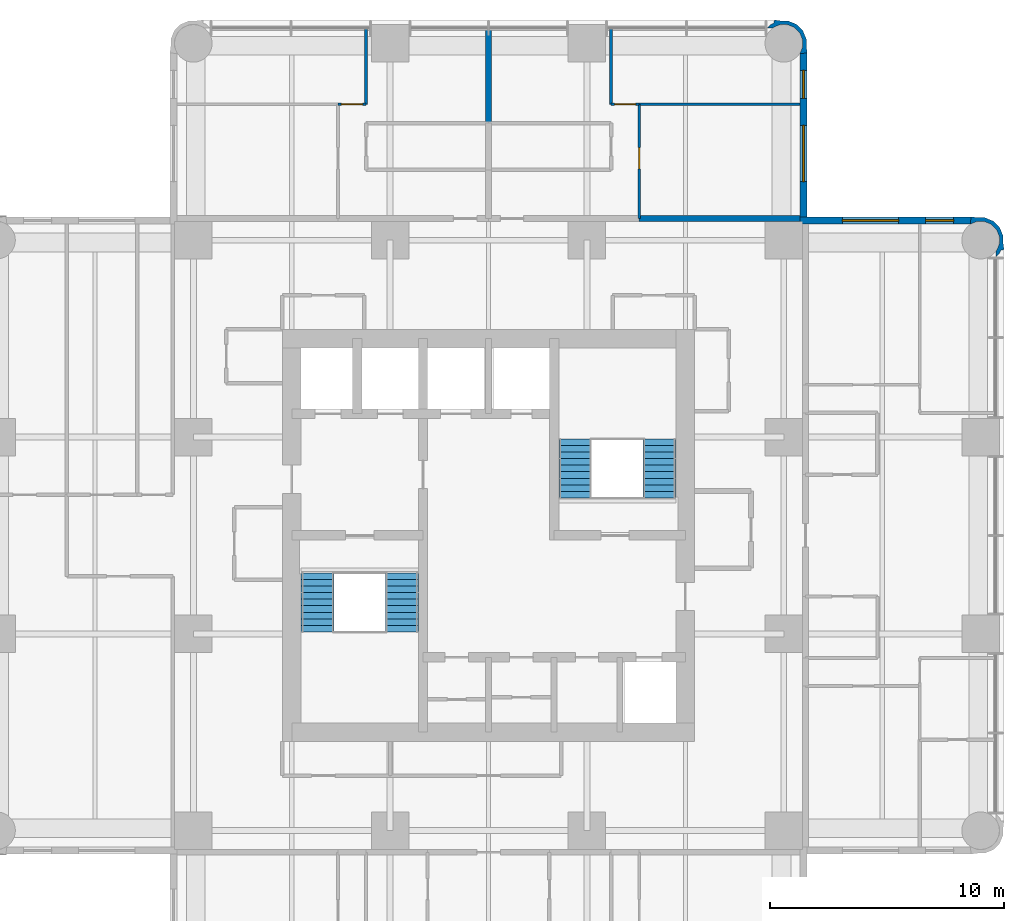
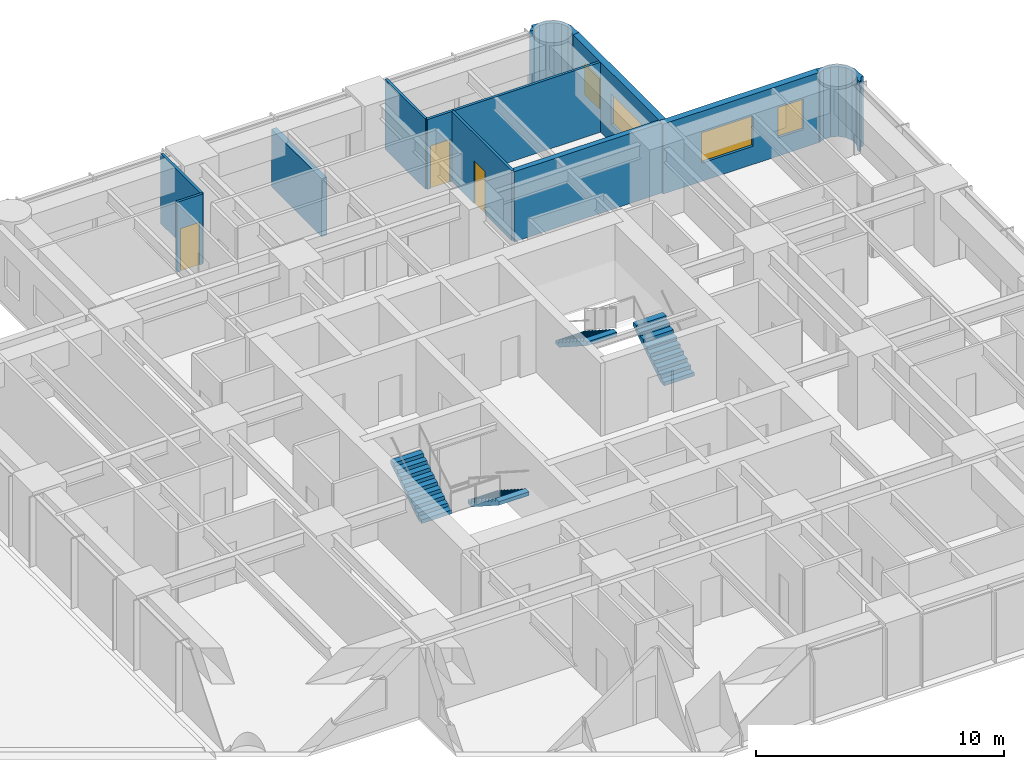
# One storey, part 8 of 9: 12 walls, 4 stair flights, 4 windows, 3 doors, 7 openings, 2 elements without a shape of their own.
"""IFC4 building model written with IfcOpenShell, lengths in metres."""

from ifc_helpers import new_model, si_unit, direction, frame, frame_2d, origin, place, context, subcontext, project, spatial, polyline, rectangle, outline, extrude, material, layer, layer_set, type_object, element, fill, aggregate, save


model = new_model("IFC4")

# Units and contexts
model_context = context("Model", 3, precision=1e-05, world=origin(), true_north=direction((0.0, 1.0)))
body_context = subcontext(model_context, "Body", "Model", "MODEL_VIEW")
ifc_project = project(units=[si_unit("LENGTHUNIT", "METRE"), si_unit("AREAUNIT", "SQUARE_METRE"), si_unit("VOLUMEUNIT", "CUBIC_METRE"), si_unit("PLANEANGLEUNIT", "RADIAN"), si_unit("MASSUNIT", "GRAM", prefix="KILO")], contexts=[model_context])

# Site, building, storey
site_placement = place(None, origin())
site = spatial("IfcSite", under=ifc_project, at=site_placement, CompositionType="ELEMENT")
building_placement = place(site_placement, origin())
building = spatial("IfcBuilding", under=site, at=building_placement, Name="Torre Alcanfor", CompositionType="ELEMENT")
storey_placement = place(building_placement, frame((0.0, 0.0, 254.10009765625)))
storey = spatial("IfcBuildingStorey", under=building, at=storey_placement, Name="L66", CompositionType="ELEMENT", Elevation=254.10009765625)

# Wall
ifc_material_1 = material(Name="Concrete block masonry, hollow blocks NMX-C-404 9 MPa", Category="masonry")
ifc_layer_1 = layer(ifc_material_1, 0.25)
ifc_layer_set_1 = layer_set([ifc_layer_1], Name="Apartment entrance wall 250 EI 60")
wall_type_1 = type_object("IfcWallType", Name="Apartment entrance wall 250 EI 60", PredefinedType="PARTITIONING", material=ifc_layer_set_1)
wall_1_placement = place(storey_placement, frame((35.8291015625, 42.925048828125, 0.0), z_axis=(0.0, 0.0, 1.0), x_axis=(1.0, 0.0, 0.0)))
element("IfcWall", 1, at=wall_1_placement, inside=storey, type_object=wall_type_1, Name="Partition L66-CORR / L66-N2-BED2", PredefinedType="PARTITIONING", context=body_context, shape_type="SweptSolid", body=[
    extrude(rectangle(XDim=6.870849609375, YDim=0.25, at=frame_2d((3.435546875, 0.0))), origin(), (0.0, 0.0, 1.0), 3.449951171875),
])

# Wall, opening, door
ifc_material_2 = material(Name="Gypsum board on steel studs", Category="steel")
ifc_layer_2 = layer(ifc_material_2, 0.1201171875)
ifc_layer_set_2 = layer_set([ifc_layer_2], Name="Apartment partition 120")
wall_type_2 = type_object("IfcWallType", Name="Apartment partition 120", PredefinedType="PARTITIONING", material=ifc_layer_set_2)
wall_2_placement = place(storey_placement, frame((22.970947265625, 47.800048828125, 0.0), z_axis=(0.0, 0.0, 1.0), x_axis=(1.0, 0.0, 0.0)))
wall_2 = element("IfcWall", 2, at=wall_2_placement, inside=storey, type_object=wall_type_2, Name="Partition L66-N1-LIVING / L66-N1-MASTER", PredefinedType="PARTITIONING", context=body_context, shape_type="SweptSolid", body=[
    extrude(rectangle(XDim=1.199951171875, YDim=0.1201171875, at=frame_2d((0.60009765625, 0.0))), origin(), (0.0, 0.0, 1.0), 3.449951171875),
])
opening_1_placement = place(wall_2_placement, frame((0.14892578125, 0.0, 0.0)))
opening_1 = element("IfcOpeningElement", 3, at=opening_1_placement, cuts=wall_2, Name="Opening D-R1", PredefinedType="OPENING", context=body_context, shape_type="SweptSolid", body=[
    extrude(rectangle(XDim=0.89990234375, YDim=2.10009765625, at=frame_2d((0.449951171875, 1.050048828125))), frame((0.0, 0.070068359375, 0.0), z_axis=(0.0, -1.0, 0.0), x_axis=(1.0, 0.0, 0.0)), (0.0, 0.0, 1.0), 0.14013671875),
])
ifc_material_3 = material(Name="Timber", Category="wood")
door_type = type_object("IfcDoorType", Name="Internal door 900x2100", OperationType="SINGLE_SWING_LEFT", PredefinedType="DOOR", material=ifc_material_3)
door_1_placement = place(opening_1_placement, origin())
door_1 = element("IfcDoor", 4, at=door_1_placement, inside=storey, type_object=door_type, Name="Door L66-N1 master", OperationType="SINGLE_SWING_RIGHT", OverallHeight=2.10009765625, OverallWidth=0.89990234375, PredefinedType="DOOR", context=body_context, shape_type="SweptSolid", body=[
    extrude(rectangle(XDim=0.89990234375, YDim=2.10009765625, at=frame_2d((0.449951171875, 1.050048828125))), frame((0.0, 0.02490234375, 0.0), z_axis=(0.0, -1.0, 0.0), x_axis=(1.0, 0.0, 0.0)), (0.0, 0.0, 1.0), 0.050048828125),
])
fill(opening_1, door_1)

# Wall
wall_3_placement = place(storey_placement, frame((24.1708984375, 47.800048828125, 0.0), z_axis=(0.0, 0.0, 1.0), x_axis=(0.0, 1.0, 0.0)))
element("IfcWall", 5, at=wall_3_placement, inside=storey, type_object=wall_type_2, Name="Partition L66-N1-LIVING / L66-N1-MASTER", PredefinedType="PARTITIONING", context=body_context, shape_type="SweptSolid", body=[
    extrude(rectangle(XDim=3.25, YDim=0.1201171875, at=frame_2d((1.625, 0.0))), origin(), (0.0, 0.0, 1.0), 3.449951171875),
])

# Wall, opening, door
wall_4_placement = place(storey_placement, frame((35.8291015625, 47.800048828125, 0.0), z_axis=(0.0, 0.0, 1.0), x_axis=(0.0, -1.0, 0.0)))
wall_4 = element("IfcWall", 6, at=wall_4_placement, inside=storey, type_object=wall_type_2, Name="Partition L66-N2-LIVING / L66-N2-BED2", PredefinedType="PARTITIONING", context=body_context, shape_type="SweptSolid", body=[
    extrude(rectangle(XDim=4.875, YDim=0.1201171875, at=frame_2d((2.4375, 0.0))), origin(), (0.0, 0.0, 1.0), 3.449951171875),
])
opening_2_placement = place(wall_4_placement, frame((1.85009765625, 0.0, 0.0)))
opening_2 = element("IfcOpeningElement", 7, at=opening_2_placement, cuts=wall_4, Name="Opening D-R1", PredefinedType="OPENING", context=body_context, shape_type="SweptSolid", body=[
    extrude(rectangle(XDim=0.89990234375, YDim=2.10009765625, at=frame_2d((0.449951171875, 1.050048828125))), frame((0.0, 0.070068359375, 0.0), z_axis=(0.0, -1.0, 0.0), x_axis=(1.0, 0.0, 0.0)), (0.0, 0.0, 1.0), 0.14013671875),
])
door_2_placement = place(opening_2_placement, origin())
door_2 = element("IfcDoor", 8, at=door_2_placement, inside=storey, type_object=door_type, Name="Door L66-N2 bed2", OperationType="SINGLE_SWING_LEFT", OverallHeight=2.10009765625, OverallWidth=0.89990234375, PredefinedType="DOOR", context=body_context, shape_type="SweptSolid", body=[
    extrude(rectangle(XDim=0.89990234375, YDim=2.10009765625, at=frame_2d((0.449951171875, 1.050048828125))), frame((0.0, 0.02490234375, 0.0), z_axis=(0.0, -1.0, 0.0), x_axis=(1.0, 0.0, 0.0)), (0.0, 0.0, 1.0), 0.050048828125),
])
fill(opening_2, door_2)

# Wall
wall_5_placement = place(storey_placement, frame((34.62890625, 51.050048828125, 0.0), z_axis=(0.0, 0.0, 1.0), x_axis=(0.0, -1.0, 0.0)))
element("IfcWall", 9, at=wall_5_placement, inside=storey, type_object=wall_type_2, Name="Partition L66-N2-LIVING / L66-N2-MASTER", PredefinedType="PARTITIONING", context=body_context, shape_type="SweptSolid", body=[
    extrude(rectangle(XDim=3.25, YDim=0.1201171875, at=frame_2d((1.625, 0.0))), origin(), (0.0, 0.0, 1.0), 3.449951171875),
])

# Wall, opening, door
wall_6_placement = place(storey_placement, frame((34.62890625, 47.800048828125, 0.0), z_axis=(0.0, 0.0, 1.0), x_axis=(1.0, 0.0, 0.0)))
wall_6 = element("IfcWall", 10, at=wall_6_placement, inside=storey, type_object=wall_type_2, Name="Partition L66-N2-LIVING / L66-N2-MASTER", PredefinedType="PARTITIONING", context=body_context, shape_type="SweptSolid", body=[
    extrude(rectangle(XDim=1.2001953125, YDim=0.1201171875, at=frame_2d((0.60009765625, 0.0))), origin(), (0.0, 0.0, 1.0), 3.449951171875),
])
opening_3_placement = place(wall_6_placement, frame((0.15087890625, 0.0, 0.0)))
opening_3 = element("IfcOpeningElement", 11, at=opening_3_placement, cuts=wall_6, Name="Opening D-R1", PredefinedType="OPENING", context=body_context, shape_type="SweptSolid", body=[
    extrude(rectangle(XDim=0.89990234375, YDim=2.10009765625, at=frame_2d((0.449951171875, 1.050048828125))), frame((0.0, 0.070068359375, 0.0), z_axis=(0.0, -1.0, 0.0), x_axis=(1.0, 0.0, 0.0)), (0.0, 0.0, 1.0), 0.14013671875),
])
door_3_placement = place(opening_3_placement, origin())
door_3 = element("IfcDoor", 12, at=door_3_placement, inside=storey, type_object=door_type, Name="Door L66-N2 master", OperationType="SINGLE_SWING_LEFT", OverallHeight=2.10009765625, OverallWidth=0.89990234375, PredefinedType="DOOR", context=body_context, shape_type="SweptSolid", body=[
    extrude(rectangle(XDim=0.89990234375, YDim=2.10009765625, at=frame_2d((0.449951171875, 1.050048828125))), frame((0.0, 0.02490234375, 0.0), z_axis=(0.0, -1.0, 0.0), x_axis=(1.0, 0.0, 0.0)), (0.0, 0.0, 1.0), 0.050048828125),
])
fill(opening_3, door_3)

# Wall
wall_7_placement = place(storey_placement, frame((35.8291015625, 47.800048828125, 0.0), z_axis=(0.0, 0.0, 1.0), x_axis=(1.0, 0.0, 0.0)))
element("IfcWall", 13, at=wall_7_placement, inside=storey, type_object=wall_type_2, Name="Partition L66-N2-BED2 / L66-N2-MASTER", PredefinedType="PARTITIONING", context=body_context, shape_type="SweptSolid", body=[
    extrude(rectangle(XDim=6.870849609375, YDim=0.1201171875, at=frame_2d((3.435546875, 0.0))), origin(), (0.0, 0.0, 1.0), 3.449951171875),
])

# Wall, openings, windows
ifc_material_4 = material(Name="Limestone cladding", Category="masonry")
ifc_layer_3 = layer(ifc_material_4, 0.0400390625, Name="Facing")
ifc_material_5 = material(Name="Ventilated air cavity")
ifc_layer_4 = layer(ifc_material_5, 0.02001953125, ventilated=True, Name="Ventilated joint")
ifc_material_6 = material(Name="Mineral wool insulation", Category="insulation")
ifc_layer_5 = layer(ifc_material_6, 0.10009765625, Name="Insulation")
ifc_material_7 = material(Name="Concrete f'c 35 MPa", Category="concrete")
ifc_layer_6 = layer(ifc_material_7, 0.139892578125, Name="Backing")
ifc_layer_set_3 = layer_set([ifc_layer_3, ifc_layer_4, ifc_layer_5, ifc_layer_6], Name="External wall stone-clad 300")
wall_type_3 = type_object("IfcWallType", Name="External wall stone-clad 300", PredefinedType="SOLIDWALL", material=ifc_layer_set_3)
wall_8_placement = place(storey_placement, frame((50.0, 42.85009765625, 0.0), z_axis=(0.0, 0.0, 1.0), x_axis=(-1.0, 0.0, 0.0)))
wall_8 = element("IfcWall", 14, at=wall_8_placement, inside=storey, type_object=wall_type_3, Name="External wall L66 9", PredefinedType="SOLIDWALL", context=body_context, shape_type="SweptSolid", body=[
    extrude(rectangle(XDim=7.300048828125, YDim=0.300048828125, at=frame_2d((3.64990234375, 0.0))), origin(), (0.0, 0.0, 1.0), 3.449951171875),
])
opening_4_placement = place(wall_8_placement, frame((3.10009765625, 0.0, 0.89990234375)))
opening_4 = element("IfcOpeningElement", 15, at=opening_4_placement, cuts=wall_8, Name="Opening W1", PredefinedType="OPENING", context=body_context, shape_type="SweptSolid", body=[
    extrude(rectangle(XDim=2.39990234375, YDim=1.5, at=frame_2d((1.199951171875, 0.75))), frame((0.0, 0.159912109375, 0.0), z_axis=(0.0, -1.0, 0.0), x_axis=(1.0, 0.0, 0.0)), (0.0, 0.0, 1.0), 0.320068359375),
])
opening_5_placement = place(wall_8_placement, frame((0.75, 0.0, 0.89990234375)))
opening_5 = element("IfcOpeningElement", 16, at=opening_5_placement, cuts=wall_8, Name="Opening W4", PredefinedType="OPENING", context=body_context, shape_type="SweptSolid", body=[
    extrude(rectangle(XDim=1.199951171875, YDim=1.5, at=frame_2d((0.60009765625, 0.75))), frame((0.0, 0.159912109375, 0.0), z_axis=(0.0, -1.0, 0.0), x_axis=(1.0, 0.0, 0.0)), (0.0, 0.0, 1.0), 0.320068359375),
])
ifc_material_8 = material(Name="Aluminium frame with clear double glazing", Category="aluminium")
window_type_1 = type_object("IfcWindowType", Name="Window bedroom 1200x1500", PartitioningType="SINGLE_PANEL", PredefinedType="WINDOW", material=ifc_material_8)
window_1_placement = place(opening_5_placement, origin())
window_1 = element("IfcWindow", 17, at=window_1_placement, inside=storey, type_object=window_type_1, Name="Window W4 L66-E1", OverallHeight=1.5, OverallWidth=1.199951171875, PartitioningType="SINGLE_PANEL", PredefinedType="WINDOW", context=body_context, shape_type="SweptSolid", body=[
    extrude(rectangle(XDim=1.199951171875, YDim=1.5, at=frame_2d((0.60009765625, 0.75))), frame((0.0, 0.030029296875, 0.0), z_axis=(0.0, -1.0, 0.0), x_axis=(1.0, 0.0, 0.0)), (0.0, 0.0, 1.0), 0.06005859375),
])
fill(opening_5, window_1)
ifc_material_9 = material(Name="Aluminium frame with clear double glazing", Category="aluminium")
window_type_2 = type_object("IfcWindowType", Name="Window bedroom 2400x1500", PartitioningType="SINGLE_PANEL", PredefinedType="WINDOW", material=ifc_material_9)
window_2_placement = place(opening_4_placement, origin())
window_2 = element("IfcWindow", 18, at=window_2_placement, inside=storey, type_object=window_type_2, Name="Window W1 L66-E1", OverallHeight=1.5, OverallWidth=2.39990234375, PartitioningType="SINGLE_PANEL", PredefinedType="WINDOW", context=body_context, shape_type="SweptSolid", body=[
    extrude(rectangle(XDim=2.39990234375, YDim=1.5, at=frame_2d((1.199951171875, 0.75))), frame((0.0, 0.030029296875, 0.0), z_axis=(0.0, -1.0, 0.0), x_axis=(1.0, 0.0, 0.0)), (0.0, 0.0, 1.0), 0.06005859375),
])
fill(opening_4, window_2)

wall_9_placement = place(storey_placement, frame((42.85009765625, 43.0, 0.0), z_axis=(0.0, 0.0, 1.0), x_axis=(0.0, 1.0, 0.0)))
wall_9 = element("IfcWall", 19, at=wall_9_placement, inside=storey, type_object=wall_type_3, Name="External wall L66 10", PredefinedType="SOLIDWALL", context=body_context, shape_type="SweptSolid", body=[
    extrude(rectangle(XDim=7.0, YDim=0.300048828125, at=frame_2d((3.5, 0.0))), origin(), (0.0, 0.0, 1.0), 3.449951171875),
])
opening_6_placement = place(wall_9_placement, frame((1.5, 0.0, 0.89990234375)))
opening_6 = element("IfcOpeningElement", 20, at=opening_6_placement, cuts=wall_9, Name="Opening W1", PredefinedType="OPENING", context=body_context, shape_type="SweptSolid", body=[
    extrude(rectangle(XDim=2.39990234375, YDim=1.5, at=frame_2d((1.199951171875, 0.75))), frame((0.0, 0.159912109375, 0.0), z_axis=(0.0, -1.0, 0.0), x_axis=(1.0, 0.0, 0.0)), (0.0, 0.0, 1.0), 0.320068359375),
])
opening_7_placement = place(wall_9_placement, frame((5.050048828125, 0.0, 0.89990234375)))
opening_7 = element("IfcOpeningElement", 21, at=opening_7_placement, cuts=wall_9, Name="Opening W4", PredefinedType="OPENING", context=body_context, shape_type="SweptSolid", body=[
    extrude(rectangle(XDim=1.199951171875, YDim=1.5, at=frame_2d((0.60009765625, 0.75))), frame((0.0, 0.159912109375, 0.0), z_axis=(0.0, -1.0, 0.0), x_axis=(1.0, 0.0, 0.0)), (0.0, 0.0, 1.0), 0.320068359375),
])
window_3_placement = place(opening_7_placement, origin())
window_3 = element("IfcWindow", 22, at=window_3_placement, inside=storey, type_object=window_type_1, Name="Window W4 L66-N2", OverallHeight=1.5, OverallWidth=1.199951171875, PartitioningType="SINGLE_PANEL", PredefinedType="WINDOW", context=body_context, shape_type="SweptSolid", body=[
    extrude(rectangle(XDim=1.199951171875, YDim=1.5, at=frame_2d((0.60009765625, 0.75))), frame((0.0, 0.030029296875, 0.0), z_axis=(0.0, -1.0, 0.0), x_axis=(1.0, 0.0, 0.0)), (0.0, 0.0, 1.0), 0.06005859375),
])
fill(opening_7, window_3)
window_4_placement = place(opening_6_placement, origin())
window_4 = element("IfcWindow", 23, at=window_4_placement, inside=storey, type_object=window_type_2, Name="Window W1 L66-N2", OverallHeight=1.5, OverallWidth=2.39990234375, PartitioningType="SINGLE_PANEL", PredefinedType="WINDOW", context=body_context, shape_type="SweptSolid", body=[
    extrude(rectangle(XDim=2.39990234375, YDim=1.5, at=frame_2d((1.199951171875, 0.75))), frame((0.0, 0.030029296875, 0.0), z_axis=(0.0, -1.0, 0.0), x_axis=(1.0, 0.0, 0.0)), (0.0, 0.0, 1.0), 0.06005859375),
])
fill(opening_6, window_4)

# Walls
ifc_material_10 = material(Name="Concrete block masonry, hollow blocks NMX-C-404 9 MPa", Category="masonry")
ifc_layer_7 = layer(ifc_material_10, 0.25)
ifc_layer_set_4 = layer_set([ifc_layer_7], Name="Party wall 250 EI 60")
wall_type_4 = type_object("IfcWallType", Name="Party wall 250 EI 60", PredefinedType="PARTITIONING", material=ifc_layer_set_4)
wall_10_placement = place(storey_placement, frame((29.39990234375, 51.050048828125, 0.0), z_axis=(0.0, 0.0, 1.0), x_axis=(0.0, -1.0, 0.0)))
element("IfcWall", 24, at=wall_10_placement, inside=storey, type_object=wall_type_4, Name="Partition L66-N1-LIVING / L66-N2-LIVING", PredefinedType="PARTITIONING", context=body_context, shape_type="SweptSolid", body=[
    extrude(rectangle(XDim=4.050048828125, YDim=0.25, at=frame_2d((2.02490234375, 0.0))), origin(), (0.0, 0.0, 1.0), 2.847900390625),
])
ifc_layer_8 = layer(ifc_material_4, 0.0400390625, Name="Facing")
ifc_layer_9 = layer(ifc_material_5, 0.02001953125, ventilated=True, Name="Ventilated joint")
ifc_layer_10 = layer(ifc_material_6, 0.10009765625, Name="Insulation")
ifc_layer_11 = layer(ifc_material_7, 0.139892578125, Name="Backing")
ifc_layer_set_5 = layer_set([ifc_layer_8, ifc_layer_9, ifc_layer_10, ifc_layer_11], Name="Rounded corner pier stone-clad 300")
wall_type_5 = type_object("IfcWallType", Name="Rounded corner pier stone-clad 300", PredefinedType="SOLIDWALL", material=ifc_layer_set_5)
wall_11_placement = place(storey_placement, frame((50.995317512, 41.351928198, 0.0), z_axis=(0.0, 0.0, 1.0), x_axis=(0.93923434088, 0.343276641956, 0.0)))
element("IfcWall", 25, at=wall_11_placement, inside=storey, type_object=wall_type_5, Name="Corner pier L66 18", PredefinedType="SOLIDWALL", context=body_context, shape_type="SweptSolid", body=[
    extrude(outline(polyline([(0.532070859575347, 0.3931211644652769), (0.6306288016994257, 0.6627841490537395), (0.6143771848633752, 1.0443311048893273), (0.45345696635520466, 1.3906341192975507), (0.17231172366982617, 1.649090202748046), (-0.09758056617764022, 1.74773195264604), (-0.36909183345629537, 1.8895948858729632), (-0.5092390395564855, 1.6213555819315348), (-0.49066531357717813, 1.6145671522444172), (-0.47932809452638603, 1.6086040111878088), (-0.2113001838193056, 1.620076634704648), (0.08794317918064642, 1.5107074897455302), (0.32266524235562133, 1.295211990161107), (0.4568756133186334, 1.0059793555180252), (0.4702267622199973, 0.6876171339758476), (0.3609414250347944, 0.3886030762348993), (0.14544592545037124, 0.1538810130599244), (0.10810166675911574, 0.13633750707535794), (0.030998514757285493, -0.07462333120813314), (0.24109735984581876, 0.023005481286426002), (0.3334973043867029, 0.12362143657357082), (0.46519074604266464, 0.09420475511640602), (0.532070859575347, 0.3931211644652769)])), origin(), (0.0, 0.0, 1.0), 3.449951171875),
])
wall_12_placement = place(storey_placement, frame((42.817059488, 50.073176205, 0.0), z_axis=(0.0, 0.0, 1.0), x_axis=(0.343276641956, 0.93923434088, 0.0)))
element("IfcWall", 26, at=wall_12_placement, inside=storey, type_object=wall_type_5, Name="Corner pier L66 19", PredefinedType="SOLIDWALL", context=body_context, shape_type="SweptSolid", body=[
    extrude(outline(polyline([(0.2655808672444785, -0.0550807599050476), (0.5354731570919448, 0.04356098999294611), (0.8166183997773234, 0.30201707344344164), (0.9775386182854939, 0.6483200878516648), (0.9937902351215443, 1.0298670436872528), (0.8952322929974657, 1.2995300282757154), (0.8283521794647835, 1.5984464376245864), (0.6966587378088214, 1.5690297561674216), (0.6042587932679374, 1.6696457114545662), (0.39415994817940425, 1.7672745239491254), (0.47126310018123446, 1.5563136856656343), (0.50860735887249, 1.538770179681068), (0.7241028584569131, 1.304048116506093), (0.833388195642116, 1.0050340587651447), (0.8200370467407522, 0.686671837222967), (0.68582667577774, 0.3974392025798854), (0.4511046126027651, 0.18194370299546214), (0.15186124960281305, 0.07257455803634424), (-0.11616666110426738, 0.08404718155318341), (-0.12750388015505948, 0.07808404049657515), (-0.14607760613436685, 0.07129561080945748), (-0.0059304000341767055, -0.19694369313197083), (0.2655808672444785, -0.0550807599050476)])), origin(), (0.0, 0.0, 1.0), 3.449951171875),
])

# Stair, stair flights
ifc_material_11 = material(Name="Concrete f'c 35 MPa", Category="concrete")
stair_type_1 = type_object("IfcStairType", Name="Exit stair S1 1400 wide", PredefinedType="HALF_TURN_STAIR", material=ifc_material_11)
stair_1_placement = place(storey_placement, origin())
stair_1 = element("IfcStair", 27, at=stair_1_placement, inside=storey, type_object=stair_type_1, Name="Stair S1 L66 to L67", PredefinedType="HALF_TURN_STAIR")
ifc_material_12 = material(Name="Concrete f'c 35 MPa", Category="concrete")
stair_flight_type = type_object("IfcStairFlightType", Name="Stair flight 1400", PredefinedType="STRAIGHT", material=ifc_material_12)
stair_flight_1_placement = place(storey_placement, frame((25.699951171875, 27.800048828125, 0.0), z_axis=(0.0, 0.0, 1.0), x_axis=(0.0, -1.0, 0.0)))
stair_flight_1 = element("IfcStairFlight", 28, at=stair_flight_1_placement, type_object=stair_flight_type, Name="S1 flight 1", NumberOfRisers=10, NumberOfTreads=9, PredefinedType="STRAIGHT", RiserHeight=0.18, TreadLength=0.28, context=body_context, shape_type="SweptSolid", body=[
    extrude(outline(polyline([(0.0, 0.0), (0.0, 0.179931640625), (0.280029296875, 0.179931640625), (0.280029296875, 0.360107421875), (0.56005859375, 0.360107421875), (0.56005859375, 0.5400390625), (0.840087890625, 0.5400390625), (0.840087890625, 0.719970703125), (1.1201171875, 0.719970703125), (1.1201171875, 0.89990234375), (1.39990234375, 0.89990234375), (1.39990234375, 1.080078125), (1.679931640625, 1.080078125), (1.679931640625, 1.260009765625), (1.9599609375, 1.260009765625), (1.9599609375, 1.43994140625), (2.239990234375, 1.43994140625), (2.239990234375, 1.6201171875), (2.52001953125, 1.6201171875), (2.52001953125, 1.800048828125), (2.52001953125, 1.44189453125), (0.277099609375, 0.0), (0.0, 0.0)])), frame((0.0, 0.699951171875, 0.0), z_axis=(0.0, -1.0, 0.0), x_axis=(1.0, 0.0, 0.0)), (0.0, 0.0, 1.0), 1.39990234375),
])
stair_flight_2_placement = place(storey_placement, frame((22.10009765625, 25.280029296875, 1.7998046875), z_axis=(0.0, 0.0, 1.0), x_axis=(0.0, 1.0, 0.0)))
stair_flight_2 = element("IfcStairFlight", 29, at=stair_flight_2_placement, type_object=stair_flight_type, Name="S1 flight 2", NumberOfRisers=10, NumberOfTreads=9, PredefinedType="STRAIGHT", RiserHeight=0.18, TreadLength=0.28, context=body_context, shape_type="SweptSolid", body=[
    extrude(outline(polyline([(0.0, 0.0), (0.0, 0.179931640625), (0.280029296875, 0.179931640625), (0.280029296875, 0.360107421875), (0.56005859375, 0.360107421875), (0.56005859375, 0.5400390625), (0.840087890625, 0.5400390625), (0.840087890625, 0.719970703125), (1.1201171875, 0.719970703125), (1.1201171875, 0.89990234375), (1.39990234375, 0.89990234375), (1.39990234375, 1.080078125), (1.679931640625, 1.080078125), (1.679931640625, 1.260009765625), (1.9599609375, 1.260009765625), (1.9599609375, 1.43994140625), (2.239990234375, 1.43994140625), (2.239990234375, 1.6201171875), (2.52001953125, 1.6201171875), (2.52001953125, 1.800048828125), (2.52001953125, 1.44189453125), (0.277099609375, 0.0), (0.0, 0.0)])), frame((0.0, 0.699951171875, 0.0), z_axis=(0.0, -1.0, 0.0), x_axis=(1.0, 0.0, 0.0)), (0.0, 0.0, 1.0), 1.39990234375),
])
aggregate(stair_1, [stair_flight_1, stair_flight_2])

ifc_material_13 = material(Name="Concrete f'c 35 MPa", Category="concrete")
stair_type_2 = type_object("IfcStairType", Name="Exit stair S2 1400 wide", PredefinedType="HALF_TURN_STAIR", material=ifc_material_13)
stair_2_placement = place(storey_placement, origin())
stair_2 = element("IfcStair", 30, at=stair_2_placement, inside=storey, type_object=stair_type_2, Name="Stair S2 L66 to L67", PredefinedType="HALF_TURN_STAIR")
stair_flight_3_placement = place(storey_placement, frame((36.699951171875, 31.0, 0.0), z_axis=(0.0, 0.0, 1.0), x_axis=(0.0, 1.0, 0.0)))
stair_flight_3 = element("IfcStairFlight", 31, at=stair_flight_3_placement, type_object=stair_flight_type, Name="S2 flight 1", NumberOfRisers=10, NumberOfTreads=9, PredefinedType="STRAIGHT", RiserHeight=0.18, TreadLength=0.28, context=body_context, shape_type="SweptSolid", body=[
    extrude(outline(polyline([(0.0, 0.0), (0.0, 0.179931640625), (0.280029296875, 0.179931640625), (0.280029296875, 0.360107421875), (0.56005859375, 0.360107421875), (0.56005859375, 0.5400390625), (0.840087890625, 0.5400390625), (0.840087890625, 0.719970703125), (1.1201171875, 0.719970703125), (1.1201171875, 0.89990234375), (1.39990234375, 0.89990234375), (1.39990234375, 1.080078125), (1.679931640625, 1.080078125), (1.679931640625, 1.260009765625), (1.9599609375, 1.260009765625), (1.9599609375, 1.43994140625), (2.239990234375, 1.43994140625), (2.239990234375, 1.6201171875), (2.52001953125, 1.6201171875), (2.52001953125, 1.800048828125), (2.52001953125, 1.44189453125), (0.277099609375, 0.0), (0.0, 0.0)])), frame((0.0, 0.699951171875, 0.0), z_axis=(0.0, -1.0, 0.0), x_axis=(1.0, 0.0, 0.0)), (0.0, 0.0, 1.0), 1.39990234375),
])
stair_flight_4_placement = place(storey_placement, frame((33.10009765625, 33.52001953125, 1.7998046875), z_axis=(0.0, 0.0, 1.0), x_axis=(0.0, -1.0, 0.0)))
stair_flight_4 = element("IfcStairFlight", 32, at=stair_flight_4_placement, type_object=stair_flight_type, Name="S2 flight 2", NumberOfRisers=10, NumberOfTreads=9, PredefinedType="STRAIGHT", RiserHeight=0.18, TreadLength=0.28, context=body_context, shape_type="SweptSolid", body=[
    extrude(outline(polyline([(0.0, 0.0), (0.0, 0.179931640625), (0.280029296875, 0.179931640625), (0.280029296875, 0.360107421875), (0.56005859375, 0.360107421875), (0.56005859375, 0.5400390625), (0.840087890625, 0.5400390625), (0.840087890625, 0.719970703125), (1.1201171875, 0.719970703125), (1.1201171875, 0.89990234375), (1.39990234375, 0.89990234375), (1.39990234375, 1.080078125), (1.679931640625, 1.080078125), (1.679931640625, 1.260009765625), (1.9599609375, 1.260009765625), (1.9599609375, 1.43994140625), (2.239990234375, 1.43994140625), (2.239990234375, 1.6201171875), (2.52001953125, 1.6201171875), (2.52001953125, 1.800048828125), (2.52001953125, 1.44189453125), (0.277099609375, 0.0), (0.0, 0.0)])), frame((0.0, 0.699951171875, 0.0), z_axis=(0.0, -1.0, 0.0), x_axis=(1.0, 0.0, 0.0)), (0.0, 0.0, 1.0), 1.39990234375),
])
aggregate(stair_2, [stair_flight_3, stair_flight_4])

save(model, "model.ifc")
